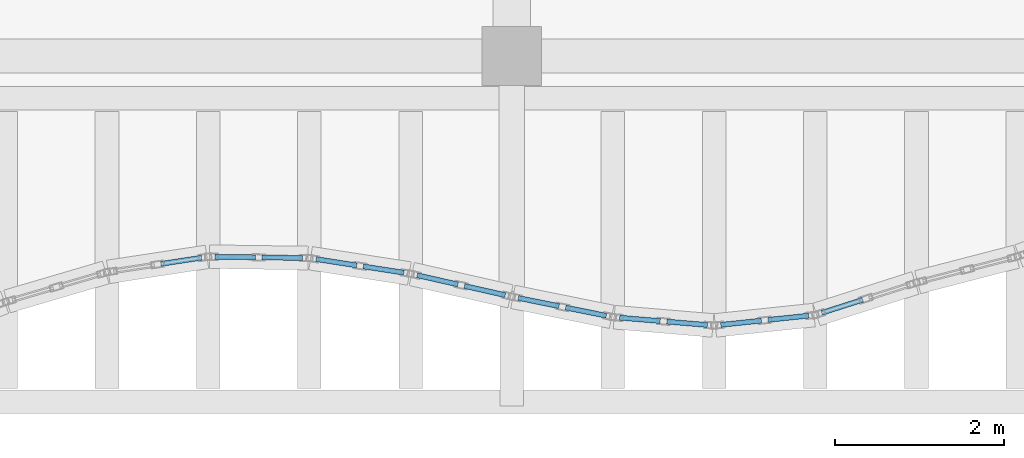
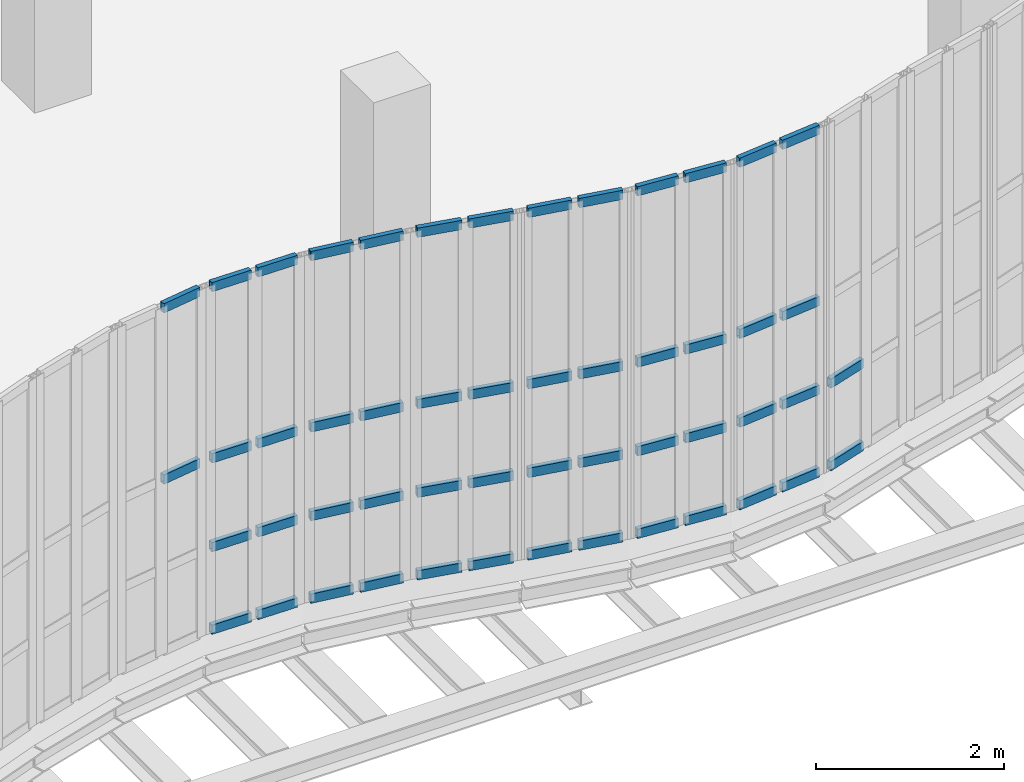
# One storey, part 59 of 108: 52 members, 8 elements without a shape of their own.
"""IFC4 building model written with IfcOpenShell, lengths in metres."""

from ifc_helpers import new_model, si_unit, direction, frame, origin, origin_2d, place, context, subcontext, project, spatial, hollow_rectangle, extrude, material, layer, layer_set, material_profile, profile_set, type_object, element, aggregate, save


model = new_model("IFC4")

# Units and contexts
model_context = context("Model", 3, precision=1e-05, world=origin(), true_north=direction((0.0, 1.0)))
body_context = subcontext(model_context, "Body", "Model", "MODEL_VIEW")
ifc_project = project(units=[si_unit("LENGTHUNIT", "METRE"), si_unit("AREAUNIT", "SQUARE_METRE"), si_unit("VOLUMEUNIT", "CUBIC_METRE"), si_unit("PLANEANGLEUNIT", "RADIAN"), si_unit("MASSUNIT", "GRAM", prefix="KILO"), si_unit("THERMODYNAMICTEMPERATUREUNIT", "KELVIN"), si_unit("POWERUNIT", "WATT")], contexts=[model_context])

# Site, building, storey
site_placement = place(None, origin())
site = spatial("IfcSite", under=ifc_project, at=site_placement, CompositionType="ELEMENT")
building_placement = place(site_placement, origin())
building = spatial("IfcBuilding", under=site, at=building_placement, Name="Kaldorven Railside Theatre", CompositionType="ELEMENT")
storey_placement = place(building_placement, frame((0.0, 0.0, 5.39990234375)))
storey = spatial("IfcBuildingStorey", under=building, at=storey_placement, Name="L01", CompositionType="ELEMENT", Elevation=5.39990234375)

# Curtain wall, members
ifc_material_1 = material(Name="Low-E laminated solar-control glass", Category="glass")
ifc_layer_1 = layer(ifc_material_1, 0.159912109375, Name="Low-E laminated solar-control glass")
ifc_layer_set_1 = layer_set([ifc_layer_1], Name="Low-E laminated solar-control glass")
curtain_wall_type_1 = type_object("IfcCurtainWallType", Name="CWT-07", PredefinedType="USERDEFINED", material=ifc_layer_set_1)
curtain_wall_1_placement = place(storey_placement, origin())
curtain_wall_1 = element("IfcCurtainWall", 1, at=curtain_wall_1_placement, inside=storey, type_object=curtain_wall_type_1, Name="Sinusoidal Fluted Curtain Wall CW-L01-S39", ObjectType="FLUTED GLAZING", PredefinedType="USERDEFINED")
ifc_material_2 = material(Name="Anodised bronze aluminium", Category="aluminium")
ifc_material_profile = material_profile(ifc_material_2, hollow_rectangle(XDim=0.06005859375, YDim=0.1201171875, WallThickness=0.0048828125, at=origin_2d()), Name="RHS 120x60x5")
ifc_profile_set = profile_set([ifc_material_profile], Name="Anodised bronze aluminium")
member_type = type_object("IfcMemberType", Name="CWT-120", PredefinedType="USERDEFINED", material=ifc_profile_set)
member_1_placement = place(storey_placement, frame((83.03955078125, 16.735595703125, 2.25), z_axis=(0.988550662101, 0.150889325199, 0.0), x_axis=(-0.150889325199, 0.988550662101, 0.0)))
member_1 = element("IfcMember", 2, at=member_1_placement, type_object=member_type, Name="CW-L01-S39 transom 2.3", ObjectType="TRANSOM", PredefinedType="USERDEFINED", context=body_context, shape_type="SweptSolid", body=[
    extrude(hollow_rectangle(XDim=0.06005859375, YDim=0.1201171875, WallThickness=0.0048828125, at=origin_2d()), origin(), (0.0, 0.0, 1.0), 0.487060546875),
])
member_2_placement = place(storey_placement, frame((83.03955078125, 16.735595703125, 4.47021484375), z_axis=(0.988550662101, 0.150889325199, 0.0), x_axis=(-0.150889325199, 0.988550662101, 0.0)))
member_2 = element("IfcMember", 3, at=member_2_placement, type_object=member_type, Name="CW-L01-S39 transom 2.4", ObjectType="TRANSOM", PredefinedType="USERDEFINED", context=body_context, shape_type="SweptSolid", body=[
    extrude(hollow_rectangle(XDim=0.06005859375, YDim=0.1201171875, WallThickness=0.0048828125, at=origin_2d()), origin(), (0.0, 0.0, 1.0), 0.487060546875),
])
aggregate(curtain_wall_1, [member_1, member_2])

ifc_layer_2 = layer(ifc_material_1, 0.159912109375, Name="Low-E laminated solar-control glass")
ifc_layer_set_2 = layer_set([ifc_layer_2], Name="Low-E laminated solar-control glass")
curtain_wall_type_2 = type_object("IfcCurtainWallType", Name="CWT-03", PredefinedType="USERDEFINED", material=ifc_layer_set_2)
curtain_wall_2_placement = place(storey_placement, origin())
curtain_wall_2 = element("IfcCurtainWall", 4, at=curtain_wall_2_placement, inside=storey, type_object=curtain_wall_type_2, Name="Sinusoidal Fluted Curtain Wall CW-L01-S40", ObjectType="FLUTED GLAZING", PredefinedType="USERDEFINED")
member_3_placement = place(storey_placement, frame((83.679931640625, 16.820068359375, 0.030029296875), z_axis=(0.999905709253, -0.013732174033, 0.0), x_axis=(0.013732174033, 0.999905709253, 0.0)))
member_3 = element("IfcMember", 5, at=member_3_placement, type_object=member_type, Name="CW-L01-S40 transom 1.1", ObjectType="TRANSOM", PredefinedType="USERDEFINED", context=body_context, shape_type="SweptSolid", body=[
    extrude(hollow_rectangle(XDim=0.06005859375, YDim=0.1201171875, WallThickness=0.0048828125, at=origin_2d()), origin(), (0.0, 0.0, 1.0), 0.47998046875),
])
member_4_placement = place(storey_placement, frame((83.679931640625, 16.820068359375, 1.10009765625), z_axis=(0.999905709253, -0.013732174033, 0.0), x_axis=(0.013732174033, 0.999905709253, 0.0)))
member_4 = element("IfcMember", 6, at=member_4_placement, type_object=member_type, Name="CW-L01-S40 transom 1.2", ObjectType="TRANSOM", PredefinedType="USERDEFINED", context=body_context, shape_type="SweptSolid", body=[
    extrude(hollow_rectangle(XDim=0.06005859375, YDim=0.1201171875, WallThickness=0.0048828125, at=origin_2d()), origin(), (0.0, 0.0, 1.0), 0.47998046875),
])
member_5_placement = place(storey_placement, frame((83.679931640625, 16.820068359375, 2.25), z_axis=(0.999905709253, -0.013732174033, 0.0), x_axis=(0.013732174033, 0.999905709253, 0.0)))
member_5 = element("IfcMember", 7, at=member_5_placement, type_object=member_type, Name="CW-L01-S40 transom 1.3", ObjectType="TRANSOM", PredefinedType="USERDEFINED", context=body_context, shape_type="SweptSolid", body=[
    extrude(hollow_rectangle(XDim=0.06005859375, YDim=0.1201171875, WallThickness=0.0048828125, at=origin_2d()), origin(), (0.0, 0.0, 1.0), 0.47998046875),
])
member_6_placement = place(storey_placement, frame((83.679931640625, 16.820068359375, 4.47021484375), z_axis=(0.999905709253, -0.013732174033, 0.0), x_axis=(0.013732174033, 0.999905709253, 0.0)))
member_6 = element("IfcMember", 8, at=member_6_placement, type_object=member_type, Name="CW-L01-S40 transom 1.4", ObjectType="TRANSOM", PredefinedType="USERDEFINED", context=body_context, shape_type="SweptSolid", body=[
    extrude(hollow_rectangle(XDim=0.06005859375, YDim=0.1201171875, WallThickness=0.0048828125, at=origin_2d()), origin(), (0.0, 0.0, 1.0), 0.47998046875),
])
member_7_placement = place(storey_placement, frame((84.239990234375, 16.812255859375, 0.030029296875), z_axis=(0.999905709253, -0.013732174033, 0.0), x_axis=(0.013732174033, 0.999905709253, 0.0)))
member_7 = element("IfcMember", 9, at=member_7_placement, type_object=member_type, Name="CW-L01-S40 transom 2.1", ObjectType="TRANSOM", PredefinedType="USERDEFINED", context=body_context, shape_type="SweptSolid", body=[
    extrude(hollow_rectangle(XDim=0.06005859375, YDim=0.1201171875, WallThickness=0.0048828125, at=origin_2d()), origin(), (0.0, 0.0, 1.0), 0.47998046875),
])
member_8_placement = place(storey_placement, frame((84.239990234375, 16.812255859375, 1.10009765625), z_axis=(0.999905709253, -0.013732174033, 0.0), x_axis=(0.013732174033, 0.999905709253, 0.0)))
member_8 = element("IfcMember", 10, at=member_8_placement, type_object=member_type, Name="CW-L01-S40 transom 2.2", ObjectType="TRANSOM", PredefinedType="USERDEFINED", context=body_context, shape_type="SweptSolid", body=[
    extrude(hollow_rectangle(XDim=0.06005859375, YDim=0.1201171875, WallThickness=0.0048828125, at=origin_2d()), origin(), (0.0, 0.0, 1.0), 0.47998046875),
])
member_9_placement = place(storey_placement, frame((84.239990234375, 16.812255859375, 2.25), z_axis=(0.999905709253, -0.013732174033, 0.0), x_axis=(0.013732174033, 0.999905709253, 0.0)))
member_9 = element("IfcMember", 11, at=member_9_placement, type_object=member_type, Name="CW-L01-S40 transom 2.3", ObjectType="TRANSOM", PredefinedType="USERDEFINED", context=body_context, shape_type="SweptSolid", body=[
    extrude(hollow_rectangle(XDim=0.06005859375, YDim=0.1201171875, WallThickness=0.0048828125, at=origin_2d()), origin(), (0.0, 0.0, 1.0), 0.47998046875),
])
member_10_placement = place(storey_placement, frame((84.239990234375, 16.812255859375, 4.47021484375), z_axis=(0.999905709253, -0.013732174033, 0.0), x_axis=(0.013732174033, 0.999905709253, 0.0)))
member_10 = element("IfcMember", 12, at=member_10_placement, type_object=member_type, Name="CW-L01-S40 transom 2.4", ObjectType="TRANSOM", PredefinedType="USERDEFINED", context=body_context, shape_type="SweptSolid", body=[
    extrude(hollow_rectangle(XDim=0.06005859375, YDim=0.1201171875, WallThickness=0.0048828125, at=origin_2d()), origin(), (0.0, 0.0, 1.0), 0.47998046875),
])
aggregate(curtain_wall_2, [member_3, member_4, member_5, member_6, member_7, member_8, member_9, member_10])

curtain_wall_3_placement = place(storey_placement, origin())
curtain_wall_3 = element("IfcCurtainWall", 13, at=curtain_wall_3_placement, inside=storey, type_object=curtain_wall_type_1, Name="Sinusoidal Fluted Curtain Wall CW-L01-S41", ObjectType="FLUTED GLAZING", PredefinedType="USERDEFINED")
member_11_placement = place(storey_placement, frame((84.879150390625, 16.79248046875, 0.030029296875), z_axis=(0.988162112514, -0.153413296007, 0.0), x_axis=(0.153413296007, 0.988162112514, 0.0)))
member_11 = element("IfcMember", 14, at=member_11_placement, type_object=member_type, Name="CW-L01-S41 transom 1.1", ObjectType="TRANSOM", PredefinedType="USERDEFINED", context=body_context, shape_type="SweptSolid", body=[
    extrude(hollow_rectangle(XDim=0.06005859375, YDim=0.1201171875, WallThickness=0.0048828125, at=origin_2d()), origin(), (0.0, 0.0, 1.0), 0.487060546875),
])
member_12_placement = place(storey_placement, frame((84.879150390625, 16.79248046875, 1.10009765625), z_axis=(0.988162112514, -0.153413296007, 0.0), x_axis=(0.153413296007, 0.988162112514, 0.0)))
member_12 = element("IfcMember", 15, at=member_12_placement, type_object=member_type, Name="CW-L01-S41 transom 1.2", ObjectType="TRANSOM", PredefinedType="USERDEFINED", context=body_context, shape_type="SweptSolid", body=[
    extrude(hollow_rectangle(XDim=0.06005859375, YDim=0.1201171875, WallThickness=0.0048828125, at=origin_2d()), origin(), (0.0, 0.0, 1.0), 0.487060546875),
])
member_13_placement = place(storey_placement, frame((84.879150390625, 16.79248046875, 2.25), z_axis=(0.988162112514, -0.153413296007, 0.0), x_axis=(0.153413296007, 0.988162112514, 0.0)))
member_13 = element("IfcMember", 16, at=member_13_placement, type_object=member_type, Name="CW-L01-S41 transom 1.3", ObjectType="TRANSOM", PredefinedType="USERDEFINED", context=body_context, shape_type="SweptSolid", body=[
    extrude(hollow_rectangle(XDim=0.06005859375, YDim=0.1201171875, WallThickness=0.0048828125, at=origin_2d()), origin(), (0.0, 0.0, 1.0), 0.487060546875),
])
member_14_placement = place(storey_placement, frame((84.879150390625, 16.79248046875, 4.47021484375), z_axis=(0.988162112514, -0.153413296007, 0.0), x_axis=(0.153413296007, 0.988162112514, 0.0)))
member_14 = element("IfcMember", 17, at=member_14_placement, type_object=member_type, Name="CW-L01-S41 transom 1.4", ObjectType="TRANSOM", PredefinedType="USERDEFINED", context=body_context, shape_type="SweptSolid", body=[
    extrude(hollow_rectangle(XDim=0.06005859375, YDim=0.1201171875, WallThickness=0.0048828125, at=origin_2d()), origin(), (0.0, 0.0, 1.0), 0.487060546875),
])
member_15_placement = place(storey_placement, frame((85.439453125, 16.70556640625, 0.030029296875), z_axis=(0.988249717028, -0.152847953191, 0.0), x_axis=(0.152847953191, 0.988249717028, 0.0)))
member_15 = element("IfcMember", 18, at=member_15_placement, type_object=member_type, Name="CW-L01-S41 transom 2.1", ObjectType="TRANSOM", PredefinedType="USERDEFINED", context=body_context, shape_type="SweptSolid", body=[
    extrude(hollow_rectangle(XDim=0.06005859375, YDim=0.1201171875, WallThickness=0.0048828125, at=origin_2d()), origin(), (0.0, 0.0, 1.0), 0.487060546875),
])
member_16_placement = place(storey_placement, frame((85.439453125, 16.70556640625, 1.10009765625), z_axis=(0.988249717028, -0.152847953191, 0.0), x_axis=(0.152847953191, 0.988249717028, 0.0)))
member_16 = element("IfcMember", 19, at=member_16_placement, type_object=member_type, Name="CW-L01-S41 transom 2.2", ObjectType="TRANSOM", PredefinedType="USERDEFINED", context=body_context, shape_type="SweptSolid", body=[
    extrude(hollow_rectangle(XDim=0.06005859375, YDim=0.1201171875, WallThickness=0.0048828125, at=origin_2d()), origin(), (0.0, 0.0, 1.0), 0.487060546875),
])
member_17_placement = place(storey_placement, frame((85.439453125, 16.70556640625, 2.25), z_axis=(0.988249717028, -0.152847953191, 0.0), x_axis=(0.152847953191, 0.988249717028, 0.0)))
member_17 = element("IfcMember", 20, at=member_17_placement, type_object=member_type, Name="CW-L01-S41 transom 2.3", ObjectType="TRANSOM", PredefinedType="USERDEFINED", context=body_context, shape_type="SweptSolid", body=[
    extrude(hollow_rectangle(XDim=0.06005859375, YDim=0.1201171875, WallThickness=0.0048828125, at=origin_2d()), origin(), (0.0, 0.0, 1.0), 0.487060546875),
])
member_18_placement = place(storey_placement, frame((85.439453125, 16.70556640625, 4.47021484375), z_axis=(0.988249717028, -0.152847953191, 0.0), x_axis=(0.152847953191, 0.988249717028, 0.0)))
member_18 = element("IfcMember", 21, at=member_18_placement, type_object=member_type, Name="CW-L01-S41 transom 2.4", ObjectType="TRANSOM", PredefinedType="USERDEFINED", context=body_context, shape_type="SweptSolid", body=[
    extrude(hollow_rectangle(XDim=0.06005859375, YDim=0.1201171875, WallThickness=0.0048828125, at=origin_2d()), origin(), (0.0, 0.0, 1.0), 0.487060546875),
])
aggregate(curtain_wall_3, [member_11, member_12, member_13, member_14, member_15, member_16, member_17, member_18])

ifc_layer_3 = layer(ifc_material_1, 0.159912109375, Name="Low-E laminated solar-control glass")
ifc_layer_set_3 = layer_set([ifc_layer_3], Name="Low-E laminated solar-control glass")
curtain_wall_type_3 = type_object("IfcCurtainWallType", Name="CWT-02", PredefinedType="USERDEFINED", material=ifc_layer_set_3)
curtain_wall_4_placement = place(storey_placement, origin())
curtain_wall_4 = element("IfcCurtainWall", 22, at=curtain_wall_4_placement, inside=storey, type_object=curtain_wall_type_3, Name="Sinusoidal Fluted Curtain Wall CW-L01-S42", ObjectType="FLUTED GLAZING", PredefinedType="USERDEFINED")
member_19_placement = place(storey_placement, frame((86.078125, 16.60107421875, 0.030029296875), z_axis=(0.975403393098, -0.22042735931, 0.0), x_axis=(0.22042735931, 0.975403393098, 0.0)))
member_19 = element("IfcMember", 23, at=member_19_placement, type_object=member_type, Name="CW-L01-S42 transom 1.1", ObjectType="TRANSOM", PredefinedType="USERDEFINED", context=body_context, shape_type="SweptSolid", body=[
    extrude(hollow_rectangle(XDim=0.06005859375, YDim=0.1201171875, WallThickness=0.0048828125, at=origin_2d()), origin(), (0.0, 0.0, 1.0), 0.4951171875),
])
member_20_placement = place(storey_placement, frame((86.078125, 16.60107421875, 1.10009765625), z_axis=(0.975403393098, -0.22042735931, 0.0), x_axis=(0.22042735931, 0.975403393098, 0.0)))
member_20 = element("IfcMember", 24, at=member_20_placement, type_object=member_type, Name="CW-L01-S42 transom 1.2", ObjectType="TRANSOM", PredefinedType="USERDEFINED", context=body_context, shape_type="SweptSolid", body=[
    extrude(hollow_rectangle(XDim=0.06005859375, YDim=0.1201171875, WallThickness=0.0048828125, at=origin_2d()), origin(), (0.0, 0.0, 1.0), 0.4951171875),
])
member_21_placement = place(storey_placement, frame((86.078125, 16.60107421875, 2.25), z_axis=(0.975403393098, -0.22042735931, 0.0), x_axis=(0.22042735931, 0.975403393098, 0.0)))
member_21 = element("IfcMember", 25, at=member_21_placement, type_object=member_type, Name="CW-L01-S42 transom 1.3", ObjectType="TRANSOM", PredefinedType="USERDEFINED", context=body_context, shape_type="SweptSolid", body=[
    extrude(hollow_rectangle(XDim=0.06005859375, YDim=0.1201171875, WallThickness=0.0048828125, at=origin_2d()), origin(), (0.0, 0.0, 1.0), 0.4951171875),
])
member_22_placement = place(storey_placement, frame((86.078125, 16.60107421875, 4.47021484375), z_axis=(0.975403393098, -0.22042735931, 0.0), x_axis=(0.22042735931, 0.975403393098, 0.0)))
member_22 = element("IfcMember", 26, at=member_22_placement, type_object=member_type, Name="CW-L01-S42 transom 1.4", ObjectType="TRANSOM", PredefinedType="USERDEFINED", context=body_context, shape_type="SweptSolid", body=[
    extrude(hollow_rectangle(XDim=0.06005859375, YDim=0.1201171875, WallThickness=0.0048828125, at=origin_2d()), origin(), (0.0, 0.0, 1.0), 0.4951171875),
])
member_23_placement = place(storey_placement, frame((86.638916015625, 16.47412109375, 0.030029296875), z_axis=(0.975427335941, -0.220321384116, 0.0), x_axis=(0.220321384116, 0.975427335941, 0.0)))
member_23 = element("IfcMember", 27, at=member_23_placement, type_object=member_type, Name="CW-L01-S42 transom 2.1", ObjectType="TRANSOM", PredefinedType="USERDEFINED", context=body_context, shape_type="SweptSolid", body=[
    extrude(hollow_rectangle(XDim=0.06005859375, YDim=0.1201171875, WallThickness=0.0048828125, at=origin_2d()), origin(), (0.0, 0.0, 1.0), 0.495361328125),
])
member_24_placement = place(storey_placement, frame((86.638916015625, 16.47412109375, 1.10009765625), z_axis=(0.975427335941, -0.220321384116, 0.0), x_axis=(0.220321384116, 0.975427335941, 0.0)))
member_24 = element("IfcMember", 28, at=member_24_placement, type_object=member_type, Name="CW-L01-S42 transom 2.2", ObjectType="TRANSOM", PredefinedType="USERDEFINED", context=body_context, shape_type="SweptSolid", body=[
    extrude(hollow_rectangle(XDim=0.06005859375, YDim=0.1201171875, WallThickness=0.0048828125, at=origin_2d()), origin(), (0.0, 0.0, 1.0), 0.495361328125),
])
member_25_placement = place(storey_placement, frame((86.638916015625, 16.47412109375, 2.25), z_axis=(0.975427335941, -0.220321384116, 0.0), x_axis=(0.220321384116, 0.975427335941, 0.0)))
member_25 = element("IfcMember", 29, at=member_25_placement, type_object=member_type, Name="CW-L01-S42 transom 2.3", ObjectType="TRANSOM", PredefinedType="USERDEFINED", context=body_context, shape_type="SweptSolid", body=[
    extrude(hollow_rectangle(XDim=0.06005859375, YDim=0.1201171875, WallThickness=0.0048828125, at=origin_2d()), origin(), (0.0, 0.0, 1.0), 0.495361328125),
])
member_26_placement = place(storey_placement, frame((86.638916015625, 16.47412109375, 4.47021484375), z_axis=(0.975427335941, -0.220321384116, 0.0), x_axis=(0.220321384116, 0.975427335941, 0.0)))
member_26 = element("IfcMember", 30, at=member_26_placement, type_object=member_type, Name="CW-L01-S42 transom 2.4", ObjectType="TRANSOM", PredefinedType="USERDEFINED", context=body_context, shape_type="SweptSolid", body=[
    extrude(hollow_rectangle(XDim=0.06005859375, YDim=0.1201171875, WallThickness=0.0048828125, at=origin_2d()), origin(), (0.0, 0.0, 1.0), 0.495361328125),
])
aggregate(curtain_wall_4, [member_19, member_20, member_21, member_22, member_23, member_24, member_25, member_26])

curtain_wall_5_placement = place(storey_placement, origin())
curtain_wall_5 = element("IfcCurtainWall", 31, at=curtain_wall_5_placement, inside=storey, type_object=curtain_wall_type_1, Name="Sinusoidal Fluted Curtain Wall CW-L01-S43", ObjectType="FLUTED GLAZING", PredefinedType="USERDEFINED")
member_27_placement = place(storey_placement, frame((87.2783203125, 16.33154296875, 0.030029296875), z_axis=(0.980120145941, -0.198404887842, 0.0), x_axis=(0.198404887842, 0.980120145941, 0.0)))
member_27 = element("IfcMember", 32, at=member_27_placement, type_object=member_type, Name="CW-L01-S43 transom 1.1", ObjectType="TRANSOM", PredefinedType="USERDEFINED", context=body_context, shape_type="SweptSolid", body=[
    extrude(hollow_rectangle(XDim=0.06005859375, YDim=0.1201171875, WallThickness=0.0048828125, at=origin_2d()), origin(), (0.0, 0.0, 1.0), 0.4921875),
])
member_28_placement = place(storey_placement, frame((87.2783203125, 16.33154296875, 1.10009765625), z_axis=(0.980120145941, -0.198404887842, 0.0), x_axis=(0.198404887842, 0.980120145941, 0.0)))
member_28 = element("IfcMember", 33, at=member_28_placement, type_object=member_type, Name="CW-L01-S43 transom 1.2", ObjectType="TRANSOM", PredefinedType="USERDEFINED", context=body_context, shape_type="SweptSolid", body=[
    extrude(hollow_rectangle(XDim=0.06005859375, YDim=0.1201171875, WallThickness=0.0048828125, at=origin_2d()), origin(), (0.0, 0.0, 1.0), 0.4921875),
])
member_29_placement = place(storey_placement, frame((87.2783203125, 16.33154296875, 2.25), z_axis=(0.980120145941, -0.198404887842, 0.0), x_axis=(0.198404887842, 0.980120145941, 0.0)))
member_29 = element("IfcMember", 34, at=member_29_placement, type_object=member_type, Name="CW-L01-S43 transom 1.3", ObjectType="TRANSOM", PredefinedType="USERDEFINED", context=body_context, shape_type="SweptSolid", body=[
    extrude(hollow_rectangle(XDim=0.06005859375, YDim=0.1201171875, WallThickness=0.0048828125, at=origin_2d()), origin(), (0.0, 0.0, 1.0), 0.4921875),
])
member_30_placement = place(storey_placement, frame((87.2783203125, 16.33154296875, 4.47021484375), z_axis=(0.980120145941, -0.198404887842, 0.0), x_axis=(0.198404887842, 0.980120145941, 0.0)))
member_30 = element("IfcMember", 35, at=member_30_placement, type_object=member_type, Name="CW-L01-S43 transom 1.4", ObjectType="TRANSOM", PredefinedType="USERDEFINED", context=body_context, shape_type="SweptSolid", body=[
    extrude(hollow_rectangle(XDim=0.06005859375, YDim=0.1201171875, WallThickness=0.0048828125, at=origin_2d()), origin(), (0.0, 0.0, 1.0), 0.4921875),
])
member_31_placement = place(storey_placement, frame((87.839111328125, 16.218017578125, 0.030029296875), z_axis=(0.980120145941, -0.198404887842, 0.0), x_axis=(0.198404887842, 0.980120145941, 0.0)))
member_31 = element("IfcMember", 36, at=member_31_placement, type_object=member_type, Name="CW-L01-S43 transom 2.1", ObjectType="TRANSOM", PredefinedType="USERDEFINED", context=body_context, shape_type="SweptSolid", body=[
    extrude(hollow_rectangle(XDim=0.06005859375, YDim=0.1201171875, WallThickness=0.0048828125, at=origin_2d()), origin(), (0.0, 0.0, 1.0), 0.4921875),
])
member_32_placement = place(storey_placement, frame((87.839111328125, 16.218017578125, 1.10009765625), z_axis=(0.980120145941, -0.198404887842, 0.0), x_axis=(0.198404887842, 0.980120145941, 0.0)))
member_32 = element("IfcMember", 37, at=member_32_placement, type_object=member_type, Name="CW-L01-S43 transom 2.2", ObjectType="TRANSOM", PredefinedType="USERDEFINED", context=body_context, shape_type="SweptSolid", body=[
    extrude(hollow_rectangle(XDim=0.06005859375, YDim=0.1201171875, WallThickness=0.0048828125, at=origin_2d()), origin(), (0.0, 0.0, 1.0), 0.4921875),
])
member_33_placement = place(storey_placement, frame((87.839111328125, 16.218017578125, 2.25), z_axis=(0.980120145941, -0.198404887842, 0.0), x_axis=(0.198404887842, 0.980120145941, 0.0)))
member_33 = element("IfcMember", 38, at=member_33_placement, type_object=member_type, Name="CW-L01-S43 transom 2.3", ObjectType="TRANSOM", PredefinedType="USERDEFINED", context=body_context, shape_type="SweptSolid", body=[
    extrude(hollow_rectangle(XDim=0.06005859375, YDim=0.1201171875, WallThickness=0.0048828125, at=origin_2d()), origin(), (0.0, 0.0, 1.0), 0.4921875),
])
member_34_placement = place(storey_placement, frame((87.839111328125, 16.218017578125, 4.47021484375), z_axis=(0.980120145941, -0.198404887842, 0.0), x_axis=(0.198404887842, 0.980120145941, 0.0)))
member_34 = element("IfcMember", 39, at=member_34_placement, type_object=member_type, Name="CW-L01-S43 transom 2.4", ObjectType="TRANSOM", PredefinedType="USERDEFINED", context=body_context, shape_type="SweptSolid", body=[
    extrude(hollow_rectangle(XDim=0.06005859375, YDim=0.1201171875, WallThickness=0.0048828125, at=origin_2d()), origin(), (0.0, 0.0, 1.0), 0.4921875),
])
aggregate(curtain_wall_5, [member_27, member_28, member_29, member_30, member_31, member_32, member_33, member_34])

curtain_wall_6_placement = place(storey_placement, origin())
curtain_wall_6 = element("IfcCurtainWall", 40, at=curtain_wall_6_placement, inside=storey, type_object=curtain_wall_type_2, Name="Sinusoidal Fluted Curtain Wall CW-L01-S44", ObjectType="FLUTED GLAZING", PredefinedType="USERDEFINED")
member_35_placement = place(storey_placement, frame((88.479736328125, 16.09765625, 0.030029296875), z_axis=(0.996545758245, -0.083045479854, 0.0), x_axis=(0.083045479854, 0.996545758245, 0.0)))
member_35 = element("IfcMember", 41, at=member_35_placement, type_object=member_type, Name="CW-L01-S44 transom 1.1", ObjectType="TRANSOM", PredefinedType="USERDEFINED", context=body_context, shape_type="SweptSolid", body=[
    extrude(hollow_rectangle(XDim=0.06005859375, YDim=0.1201171875, WallThickness=0.0048828125, at=origin_2d()), origin(), (0.0, 0.0, 1.0), 0.482177734375),
])
member_36_placement = place(storey_placement, frame((88.479736328125, 16.09765625, 1.10009765625), z_axis=(0.996545758245, -0.083045479854, 0.0), x_axis=(0.083045479854, 0.996545758245, 0.0)))
member_36 = element("IfcMember", 42, at=member_36_placement, type_object=member_type, Name="CW-L01-S44 transom 1.2", ObjectType="TRANSOM", PredefinedType="USERDEFINED", context=body_context, shape_type="SweptSolid", body=[
    extrude(hollow_rectangle(XDim=0.06005859375, YDim=0.1201171875, WallThickness=0.0048828125, at=origin_2d()), origin(), (0.0, 0.0, 1.0), 0.482177734375),
])
member_37_placement = place(storey_placement, frame((88.479736328125, 16.09765625, 2.25), z_axis=(0.996545758245, -0.083045479854, 0.0), x_axis=(0.083045479854, 0.996545758245, 0.0)))
member_37 = element("IfcMember", 43, at=member_37_placement, type_object=member_type, Name="CW-L01-S44 transom 1.3", ObjectType="TRANSOM", PredefinedType="USERDEFINED", context=body_context, shape_type="SweptSolid", body=[
    extrude(hollow_rectangle(XDim=0.06005859375, YDim=0.1201171875, WallThickness=0.0048828125, at=origin_2d()), origin(), (0.0, 0.0, 1.0), 0.482177734375),
])
member_38_placement = place(storey_placement, frame((88.479736328125, 16.09765625, 4.47021484375), z_axis=(0.996545758245, -0.083045479854, 0.0), x_axis=(0.083045479854, 0.996545758245, 0.0)))
member_38 = element("IfcMember", 44, at=member_38_placement, type_object=member_type, Name="CW-L01-S44 transom 1.4", ObjectType="TRANSOM", PredefinedType="USERDEFINED", context=body_context, shape_type="SweptSolid", body=[
    extrude(hollow_rectangle(XDim=0.06005859375, YDim=0.1201171875, WallThickness=0.0048828125, at=origin_2d()), origin(), (0.0, 0.0, 1.0), 0.482177734375),
])
member_39_placement = place(storey_placement, frame((89.039794921875, 16.051025390625, 0.030029296875), z_axis=(0.996503726253, -0.083548330707, 0.0), x_axis=(0.083548330707, 0.996503726253, 0.0)))
member_39 = element("IfcMember", 45, at=member_39_placement, type_object=member_type, Name="CW-L01-S44 transom 2.1", ObjectType="TRANSOM", PredefinedType="USERDEFINED", context=body_context, shape_type="SweptSolid", body=[
    extrude(hollow_rectangle(XDim=0.06005859375, YDim=0.1201171875, WallThickness=0.0048828125, at=origin_2d()), origin(), (0.0, 0.0, 1.0), 0.482177734375),
])
member_40_placement = place(storey_placement, frame((89.039794921875, 16.051025390625, 1.10009765625), z_axis=(0.996503726253, -0.083548330707, 0.0), x_axis=(0.083548330707, 0.996503726253, 0.0)))
member_40 = element("IfcMember", 46, at=member_40_placement, type_object=member_type, Name="CW-L01-S44 transom 2.2", ObjectType="TRANSOM", PredefinedType="USERDEFINED", context=body_context, shape_type="SweptSolid", body=[
    extrude(hollow_rectangle(XDim=0.06005859375, YDim=0.1201171875, WallThickness=0.0048828125, at=origin_2d()), origin(), (0.0, 0.0, 1.0), 0.482177734375),
])
member_41_placement = place(storey_placement, frame((89.039794921875, 16.051025390625, 2.25), z_axis=(0.996503726253, -0.083548330707, 0.0), x_axis=(0.083548330707, 0.996503726253, 0.0)))
member_41 = element("IfcMember", 47, at=member_41_placement, type_object=member_type, Name="CW-L01-S44 transom 2.3", ObjectType="TRANSOM", PredefinedType="USERDEFINED", context=body_context, shape_type="SweptSolid", body=[
    extrude(hollow_rectangle(XDim=0.06005859375, YDim=0.1201171875, WallThickness=0.0048828125, at=origin_2d()), origin(), (0.0, 0.0, 1.0), 0.482177734375),
])
member_42_placement = place(storey_placement, frame((89.039794921875, 16.051025390625, 4.47021484375), z_axis=(0.996503726253, -0.083548330707, 0.0), x_axis=(0.083548330707, 0.996503726253, 0.0)))
member_42 = element("IfcMember", 48, at=member_42_placement, type_object=member_type, Name="CW-L01-S44 transom 2.4", ObjectType="TRANSOM", PredefinedType="USERDEFINED", context=body_context, shape_type="SweptSolid", body=[
    extrude(hollow_rectangle(XDim=0.06005859375, YDim=0.1201171875, WallThickness=0.0048828125, at=origin_2d()), origin(), (0.0, 0.0, 1.0), 0.482177734375),
])
aggregate(curtain_wall_6, [member_35, member_36, member_37, member_38, member_39, member_40, member_41, member_42])

curtain_wall_7_placement = place(storey_placement, origin())
curtain_wall_7 = element("IfcCurtainWall", 49, at=curtain_wall_7_placement, inside=storey, type_object=curtain_wall_type_2, Name="Sinusoidal Fluted Curtain Wall CW-L01-S45", ObjectType="FLUTED GLAZING", PredefinedType="USERDEFINED")
member_43_placement = place(storey_placement, frame((89.679443359375, 16.012451171875, 0.030029296875), z_axis=(0.994519282274, 0.10455332221, 0.0), x_axis=(-0.10455332221, 0.994519282274, 0.0)))
member_43 = element("IfcMember", 50, at=member_43_placement, type_object=member_type, Name="CW-L01-S45 transom 1.1", ObjectType="TRANSOM", PredefinedType="USERDEFINED", context=body_context, shape_type="SweptSolid", body=[
    extrude(hollow_rectangle(XDim=0.06005859375, YDim=0.1201171875, WallThickness=0.0048828125, at=origin_2d()), origin(), (0.0, 0.0, 1.0), 0.4833984375),
])
member_44_placement = place(storey_placement, frame((89.679443359375, 16.012451171875, 1.10009765625), z_axis=(0.994519282274, 0.10455332221, 0.0), x_axis=(-0.10455332221, 0.994519282274, 0.0)))
member_44 = element("IfcMember", 51, at=member_44_placement, type_object=member_type, Name="CW-L01-S45 transom 1.2", ObjectType="TRANSOM", PredefinedType="USERDEFINED", context=body_context, shape_type="SweptSolid", body=[
    extrude(hollow_rectangle(XDim=0.06005859375, YDim=0.1201171875, WallThickness=0.0048828125, at=origin_2d()), origin(), (0.0, 0.0, 1.0), 0.4833984375),
])
member_45_placement = place(storey_placement, frame((89.679443359375, 16.012451171875, 2.25), z_axis=(0.994519282274, 0.10455332221, 0.0), x_axis=(-0.10455332221, 0.994519282274, 0.0)))
member_45 = element("IfcMember", 52, at=member_45_placement, type_object=member_type, Name="CW-L01-S45 transom 1.3", ObjectType="TRANSOM", PredefinedType="USERDEFINED", context=body_context, shape_type="SweptSolid", body=[
    extrude(hollow_rectangle(XDim=0.06005859375, YDim=0.1201171875, WallThickness=0.0048828125, at=origin_2d()), origin(), (0.0, 0.0, 1.0), 0.4833984375),
])
member_46_placement = place(storey_placement, frame((89.679443359375, 16.012451171875, 4.47021484375), z_axis=(0.994519282274, 0.10455332221, 0.0), x_axis=(-0.10455332221, 0.994519282274, 0.0)))
member_46 = element("IfcMember", 53, at=member_46_placement, type_object=member_type, Name="CW-L01-S45 transom 1.4", ObjectType="TRANSOM", PredefinedType="USERDEFINED", context=body_context, shape_type="SweptSolid", body=[
    extrude(hollow_rectangle(XDim=0.06005859375, YDim=0.1201171875, WallThickness=0.0048828125, at=origin_2d()), origin(), (0.0, 0.0, 1.0), 0.4833984375),
])
member_47_placement = place(storey_placement, frame((90.23974609375, 16.071533203125, 0.030029296875), z_axis=(0.994571678809, 0.104053715508, 0.0), x_axis=(-0.104053715508, 0.994571678809, 0.0)))
member_47 = element("IfcMember", 54, at=member_47_placement, type_object=member_type, Name="CW-L01-S45 transom 2.1", ObjectType="TRANSOM", PredefinedType="USERDEFINED", context=body_context, shape_type="SweptSolid", body=[
    extrude(hollow_rectangle(XDim=0.06005859375, YDim=0.1201171875, WallThickness=0.0048828125, at=origin_2d()), origin(), (0.0, 0.0, 1.0), 0.4833984375),
])
member_48_placement = place(storey_placement, frame((90.23974609375, 16.071533203125, 1.10009765625), z_axis=(0.994571678809, 0.104053715508, 0.0), x_axis=(-0.104053715508, 0.994571678809, 0.0)))
member_48 = element("IfcMember", 55, at=member_48_placement, type_object=member_type, Name="CW-L01-S45 transom 2.2", ObjectType="TRANSOM", PredefinedType="USERDEFINED", context=body_context, shape_type="SweptSolid", body=[
    extrude(hollow_rectangle(XDim=0.06005859375, YDim=0.1201171875, WallThickness=0.0048828125, at=origin_2d()), origin(), (0.0, 0.0, 1.0), 0.4833984375),
])
member_49_placement = place(storey_placement, frame((90.23974609375, 16.071533203125, 2.25), z_axis=(0.994571678809, 0.104053715508, 0.0), x_axis=(-0.104053715508, 0.994571678809, 0.0)))
member_49 = element("IfcMember", 56, at=member_49_placement, type_object=member_type, Name="CW-L01-S45 transom 2.3", ObjectType="TRANSOM", PredefinedType="USERDEFINED", context=body_context, shape_type="SweptSolid", body=[
    extrude(hollow_rectangle(XDim=0.06005859375, YDim=0.1201171875, WallThickness=0.0048828125, at=origin_2d()), origin(), (0.0, 0.0, 1.0), 0.4833984375),
])
member_50_placement = place(storey_placement, frame((90.23974609375, 16.071533203125, 4.47021484375), z_axis=(0.994571678809, 0.104053715508, 0.0), x_axis=(-0.104053715508, 0.994571678809, 0.0)))
member_50 = element("IfcMember", 57, at=member_50_placement, type_object=member_type, Name="CW-L01-S45 transom 2.4", ObjectType="TRANSOM", PredefinedType="USERDEFINED", context=body_context, shape_type="SweptSolid", body=[
    extrude(hollow_rectangle(XDim=0.06005859375, YDim=0.1201171875, WallThickness=0.0048828125, at=origin_2d()), origin(), (0.0, 0.0, 1.0), 0.4833984375),
])
aggregate(curtain_wall_7, [member_43, member_44, member_45, member_46, member_47, member_48, member_49, member_50])

ifc_layer_4 = layer(ifc_material_1, 0.159912109375, Name="Low-E laminated solar-control glass")
ifc_layer_set_4 = layer_set([ifc_layer_4], Name="Low-E laminated solar-control glass")
curtain_wall_type_4 = type_object("IfcCurtainWallType", Name="CWT-04", PredefinedType="USERDEFINED", material=ifc_layer_set_4)
curtain_wall_8_placement = place(storey_placement, origin())
curtain_wall_8 = element("IfcCurtainWall", 58, at=curtain_wall_8_placement, inside=storey, type_object=curtain_wall_type_4, Name="Sinusoidal Fluted Curtain Wall CW-L01-S46", ObjectType="FLUTED GLAZING", PredefinedType="USERDEFINED")
member_51_placement = place(storey_placement, frame((90.876220703125, 16.154541015625, 0.030029296875), z_axis=(0.952490847755, 0.304567209237, 0.0), x_axis=(-0.304567209237, 0.952490847755, 0.0)))
member_51 = element("IfcMember", 59, at=member_51_placement, type_object=member_type, Name="CW-L01-S46 transom 1.1", ObjectType="TRANSOM", PredefinedType="USERDEFINED", context=body_context, shape_type="SweptSolid", body=[
    extrude(hollow_rectangle(XDim=0.06005859375, YDim=0.1201171875, WallThickness=0.0048828125, at=origin_2d()), origin(), (0.0, 0.0, 1.0), 0.509765625),
])
member_52_placement = place(storey_placement, frame((90.876220703125, 16.154541015625, 1.10009765625), z_axis=(0.952490847755, 0.304567209237, 0.0), x_axis=(-0.304567209237, 0.952490847755, 0.0)))
member_52 = element("IfcMember", 60, at=member_52_placement, type_object=member_type, Name="CW-L01-S46 transom 1.2", ObjectType="TRANSOM", PredefinedType="USERDEFINED", context=body_context, shape_type="SweptSolid", body=[
    extrude(hollow_rectangle(XDim=0.06005859375, YDim=0.1201171875, WallThickness=0.0048828125, at=origin_2d()), origin(), (0.0, 0.0, 1.0), 0.509765625),
])
aggregate(curtain_wall_8, [member_51, member_52])

save(model, "model.ifc")
